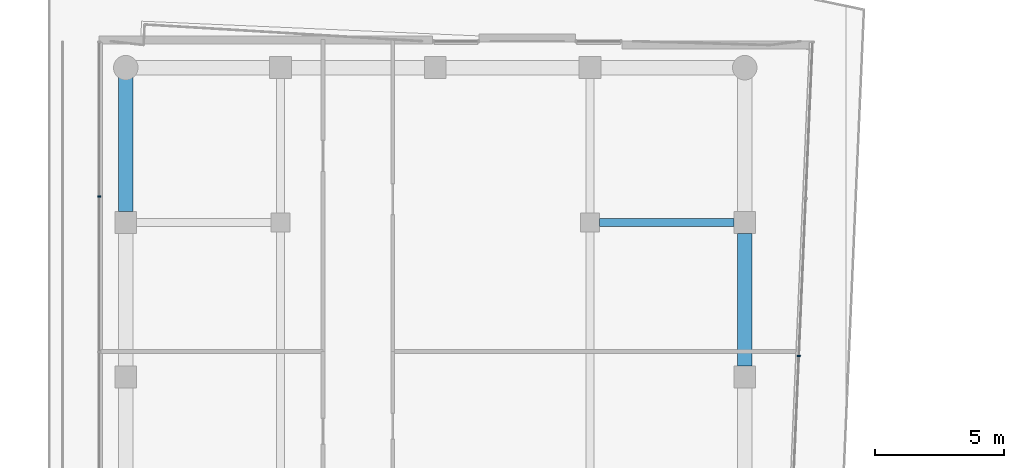
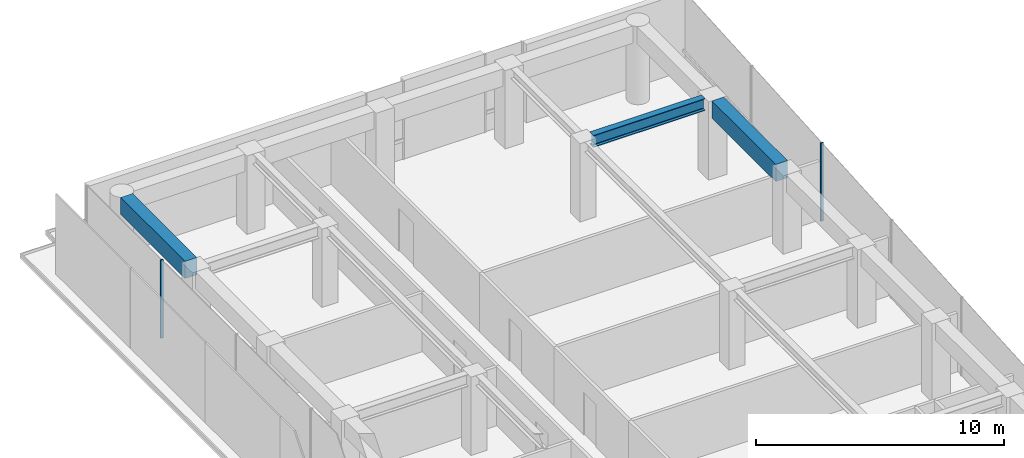
# One storey, part 14 of 21: 3 beams, 2 members, 2 elements without a shape of their own.
"""IFC4 building model written with IfcOpenShell, lengths in metres."""

from ifc_helpers import new_model, si_unit, direction, frame, origin, origin_2d, place, context, subcontext, project, spatial, rectangle, i_section, extrude, material, layer, layer_set, material_profile, profile_set, type_object, element, aggregate, save


model = new_model("IFC4")

# Units and contexts
model_context = context("Model", 3, precision=1e-05, world=origin(), true_north=direction((0.0, 1.0)))
body_context = subcontext(model_context, "Body", "Model", "MODEL_VIEW")
ifc_project = project(units=[si_unit("LENGTHUNIT", "METRE"), si_unit("AREAUNIT", "SQUARE_METRE"), si_unit("VOLUMEUNIT", "CUBIC_METRE"), si_unit("PLANEANGLEUNIT", "RADIAN"), si_unit("MASSUNIT", "GRAM", prefix="KILO")], contexts=[model_context])

# Site, building, storey
site_placement = place(None, origin())
site = spatial("IfcSite", under=ifc_project, at=site_placement, CompositionType="ELEMENT")
building_placement = place(site_placement, origin())
building = spatial("IfcBuilding", under=site, at=building_placement, Name="Welwitschia Terrace Campus", CompositionType="ELEMENT")
storey_placement = place(building_placement, frame((0.0, 0.0, 159.199951171875)))
storey = spatial("IfcBuildingStorey", under=building, at=storey_placement, Name="L35", CompositionType="ELEMENT", Elevation=159.199951171875)

# Curtain wall, member
ifc_material_1 = material(Name="Bronze anodised aluminium", Category="aluminium")
ifc_layer = layer(ifc_material_1, 0.1201171875)
ifc_layer_set = layer_set([ifc_layer], Name="Bronze anodised aluminium")
curtain_wall_type = type_object("IfcCurtainWallType", Name="Curtain wall CW2 tower 6000", PredefinedType="NOTDEFINED", material=ifc_layer_set)
curtain_wall_1_placement = place(storey_placement, origin())
curtain_wall_1 = element("IfcCurtainWall", 1, at=curtain_wall_1_placement, inside=storey, type_object=curtain_wall_type, Name="CW L35.9.0", PredefinedType="NOTDEFINED")
ifc_material_2 = material(Name="Bronze anodised aluminium", Category="aluminium")
ifc_material_profile_1 = material_profile(ifc_material_2, rectangle(XDim=0.1201171875, YDim=0.06005859375, at=origin_2d()))
ifc_profile_set_1 = profile_set([ifc_material_profile_1], Name="Bronze anodised aluminium")
member_type = type_object("IfcMemberType", Name="Mullion 60x120", PredefinedType="MULLION", material=ifc_profile_set_1)
member_1_placement = place(storey_placement, frame((26.100830078125, 50.8271484375, 0.0), z_axis=(0.0, 0.0, 1.0), x_axis=(-0.999048221582, 0.043619387365, 0.0)))
member_1 = element("IfcMember", 2, at=member_1_placement, type_object=member_type, Name="Mullion L35.9.0.4", PredefinedType="MULLION", context=body_context, shape_type="SweptSolid", body=[
    extrude(rectangle(XDim=0.1201171875, YDim=0.06005859375, at=origin_2d()), origin(), (0.0, 0.0, 1.0), 3.85009765625),
])
aggregate(curtain_wall_1, [member_1])

curtain_wall_2_placement = place(storey_placement, origin())
curtain_wall_2 = element("IfcCurtainWall", 3, at=curtain_wall_2_placement, inside=storey, type_object=curtain_wall_type, Name="CW L35.11.0", PredefinedType="NOTDEFINED")
member_2_placement = place(storey_placement, frame((-1.030029296875, 57.003173828125, 0.0), z_axis=(0.0, 0.0, 1.0), x_axis=(1.0, 0.0, 0.0)))
member_2 = element("IfcMember", 4, at=member_2_placement, type_object=member_type, Name="Mullion L35.11.0.1", PredefinedType="MULLION", context=body_context, shape_type="SweptSolid", body=[
    extrude(rectangle(XDim=0.1201171875, YDim=0.06005859375, at=origin_2d()), origin(), (0.0, 0.0, 1.0), 3.85009765625),
])
aggregate(curtain_wall_2, [member_2])

# Beams
ifc_material_3 = material(Name="Steel S355", Category="steel")
ifc_material_profile_2 = material_profile(ifc_material_3, i_section(OverallWidth=0.300048828125, OverallDepth=0.590087890625, WebThickness=0.012939453125, FlangeThickness=0.02490234375, FilletRadius=0.027099609375, at=origin_2d()))
ifc_profile_set_2 = profile_set([ifc_material_profile_2], Name="Steel S355")
beam_type_1 = type_object("IfcBeamType", Name="Primary beam HE 600 A", PredefinedType="BEAM", material=ifc_profile_set_2)
beam_1_placement = place(storey_placement, frame((23.574462890625, 56.0, 3.554931640625), z_axis=(-1.0, 0.0, 0.0), x_axis=(0.0, -1.0, 0.0)))
element("IfcBeam", 5, at=beam_1_placement, inside=storey, type_object=beam_type_1, Name="Primary beam PB4", PredefinedType="BEAM", context=body_context, shape_type="SweptSolid", body=[
    extrude(i_section(OverallWidth=0.300048828125, OverallDepth=0.590087890625, WebThickness=0.012939453125, FlangeThickness=0.02490234375, FilletRadius=0.027099609375, at=origin_2d()), origin(), (0.0, 0.0, 1.0), 5.198974609375),
])
ifc_material_4 = material(Name="Concrete C50/60", Category="concrete")
ifc_material_profile_3 = material_profile(ifc_material_4, rectangle(XDim=0.550048828125, YDim=0.85009765625, at=origin_2d()))
ifc_profile_set_3 = profile_set([ifc_material_profile_3], Name="Concrete C50/60")
beam_type_2 = type_object("IfcBeamType", Name="Ring spandrel 550x850", PredefinedType="SPANDREL", material=ifc_profile_set_3)
beam_2_placement = place(storey_placement, frame((24.0, 50.425537109375, 3.425048828125), z_axis=(0.0, 1.0, 0.0), x_axis=(-1.0, 0.0, 0.0)))
element("IfcBeam", 6, at=beam_2_placement, inside=storey, type_object=beam_type_2, Name="Spandrel SP3", PredefinedType="SPANDREL", context=body_context, shape_type="SweptSolid", body=[
    extrude(rectangle(XDim=0.550048828125, YDim=0.85009765625, at=origin_2d()), origin(), (0.0, 0.0, 1.0), 5.14892578125),
])
beam_3_placement = place(storey_placement, frame((0.0, 61.612060546875, 3.425048828125), z_axis=(0.0, -1.0, 0.0), x_axis=(1.0, 0.0, 0.0)))
element("IfcBeam", 7, at=beam_3_placement, inside=storey, type_object=beam_type_2, Name="Spandrel SP3", PredefinedType="SPANDREL", context=body_context, shape_type="SweptSolid", body=[
    extrude(rectangle(XDim=0.550048828125, YDim=0.85009765625, at=origin_2d()), origin(), (0.0, 0.0, 1.0), 5.1865234375),
])

save(model, "model.ifc")
